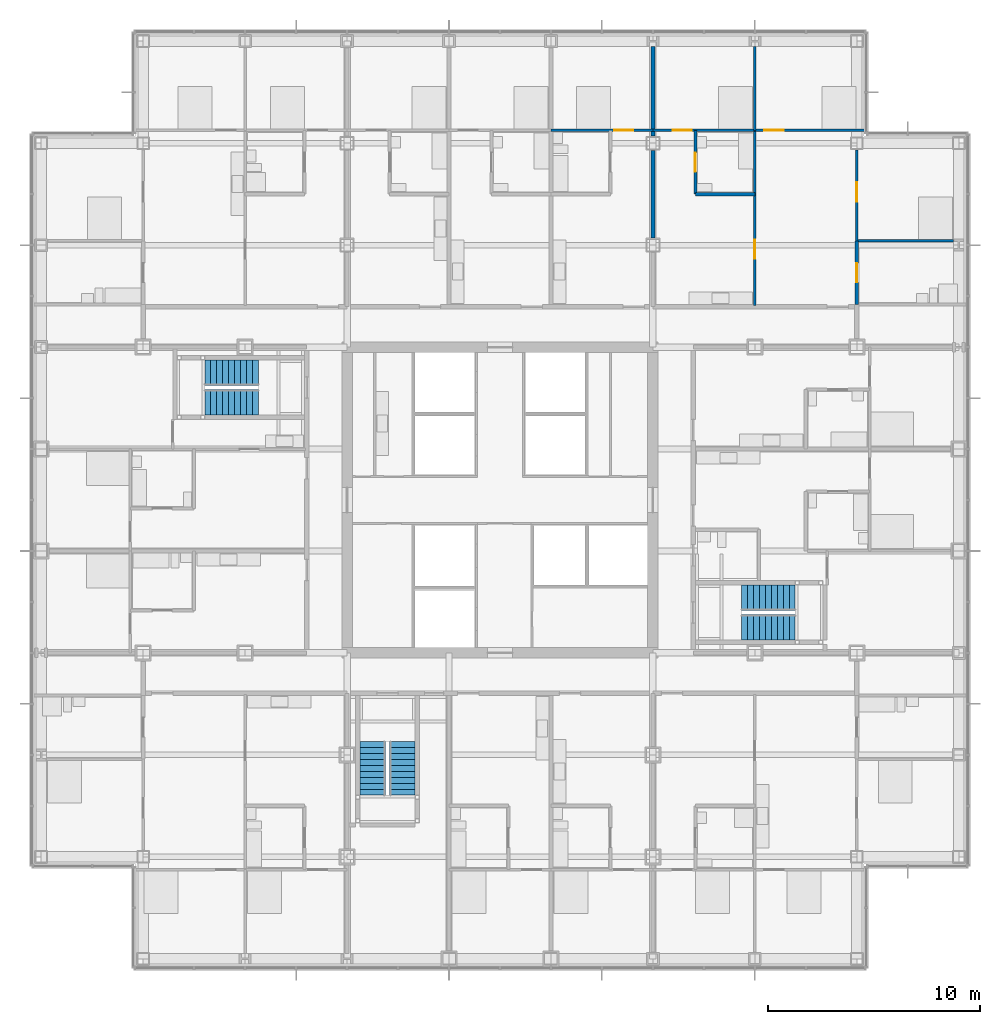
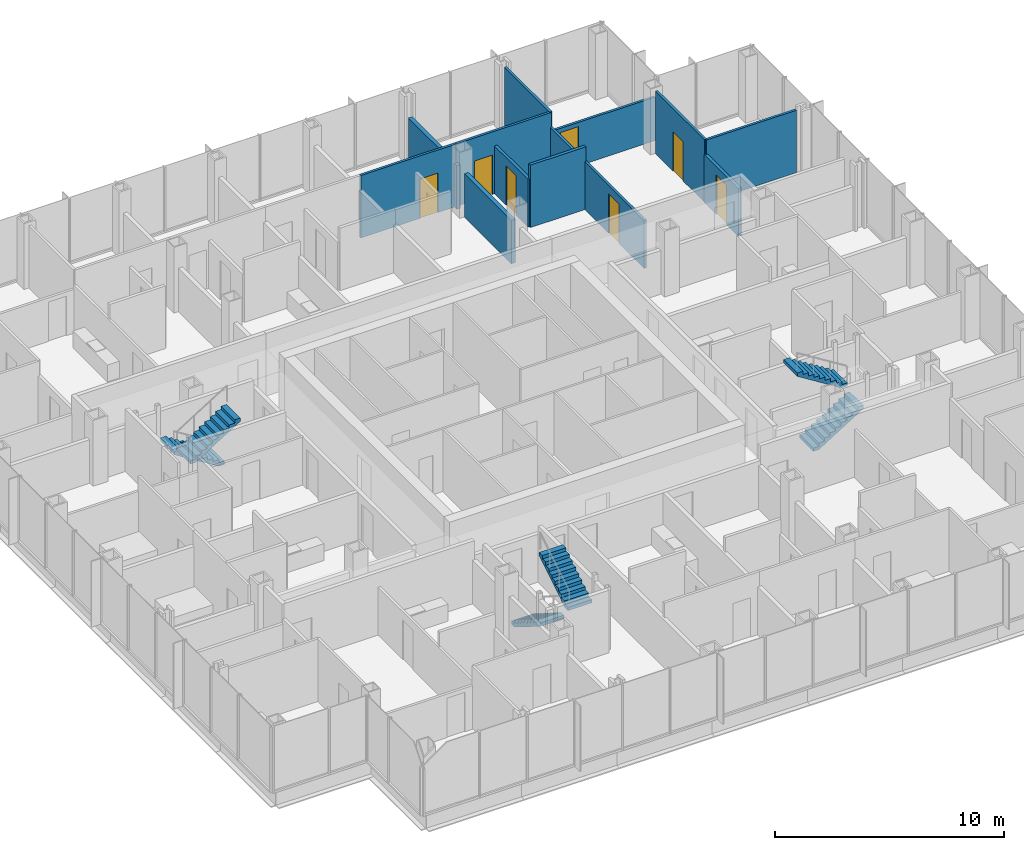
# One storey, part 18 of 21: 12 walls, 7 doors, 6 stair flights, 7 openings, 3 elements without a shape of their own.
"""IFC4 building model written with IfcOpenShell, lengths in metres."""

from ifc_helpers import new_model, si_unit, direction, frame, frame_2d, origin, place, context, subcontext, project, spatial, polyline, rectangle, outline, extrude, material, layer, layer_set, type_object, element, fill, aggregate, save


model = new_model("IFC4")

# Units and contexts
model_context = context("Model", 3, precision=1e-05, world=origin(), true_north=direction((0.0, 1.0)))
body_context = subcontext(model_context, "Body", "Model", "MODEL_VIEW")
ifc_project = project(units=[si_unit("LENGTHUNIT", "METRE"), si_unit("AREAUNIT", "SQUARE_METRE"), si_unit("VOLUMEUNIT", "CUBIC_METRE"), si_unit("PLANEANGLEUNIT", "RADIAN"), si_unit("MASSUNIT", "GRAM", prefix="KILO")], contexts=[model_context])

# Site, building, storey
site_placement = place(None, origin())
site = spatial("IfcSite", under=ifc_project, at=site_placement, CompositionType="ELEMENT")
building_placement = place(site_placement, origin())
building = spatial("IfcBuilding", under=site, at=building_placement, Name="Kvirike Care Tower", CompositionType="ELEMENT")
storey_placement = place(building_placement, frame((0.0, 0.0, 51.5)))
storey = spatial("IfcBuildingStorey", under=building, at=storey_placement, Name="L13", CompositionType="ELEMENT", Elevation=51.5)

# Wall, opening, door
ifc_material_1 = material(Name="Moisture-resistant board partition", Category="gypsum")
ifc_layer_1 = layer(ifc_material_1, 0.14990234375)
ifc_layer_set_1 = layer_set([ifc_layer_1], Name="BATHROOM WALL 150")
wall_type_1 = type_object("IfcWallType", Name="BATHROOM WALL 150", PredefinedType="PARTITIONING", material=ifc_layer_set_1)
wall_1_placement = place(storey_placement, frame((38.39990234375, 48.199951171875, 0.0), z_axis=(0.0, 0.0, 1.0), x_axis=(0.0, -1.0, 0.0)))
wall_1 = element("IfcWall", 1, at=wall_1_placement, inside=storey, type_object=wall_type_1, Name="Bathroom Wall 150 L13", PredefinedType="PARTITIONING", context=body_context, shape_type="SweptSolid", body=[
    extrude(rectangle(XDim=3.0, YDim=0.14990234375, at=frame_2d((1.5, 0.0))), origin(), (0.0, 0.0, 1.0), 2.550048828125),
])
opening_1_placement = place(wall_1_placement, frame((1.050048828125, 0.0, 0.0)))
opening_1 = element("IfcOpeningElement", 2, at=opening_1_placement, cuts=wall_1, Name="Opening 13-057", PredefinedType="OPENING", context=body_context, shape_type="SweptSolid", body=[
    extrude(rectangle(XDim=0.89990234375, YDim=2.10009765625, at=frame_2d((0.449951171875, 1.050048828125))), frame((0.0, 0.08544921875, 0.0), z_axis=(0.0, -1.0, 0.0), x_axis=(1.0, 0.0, 0.0)), (0.0, 0.0, 1.0), 0.1708984375),
])
ifc_material_2 = material(Name="Timber door set", Category="wood")
door_type_1 = type_object("IfcDoorType", Name="BATHROOM DOOR 900", OperationType="SINGLE_SWING_RIGHT", PredefinedType="DOOR", material=ifc_material_2)
door_1_placement = place(opening_1_placement, origin())
door_1 = element("IfcDoor", 3, at=door_1_placement, inside=storey, type_object=door_type_1, Name="Shower room door", OperationType="SINGLE_SWING_LEFT", OverallHeight=2.10009765625, OverallWidth=0.89990234375, PredefinedType="DOOR", context=body_context, shape_type="SweptSolid", body=[
    extrude(rectangle(XDim=0.89990234375, YDim=2.10009765625, at=frame_2d((0.449951171875, 1.050048828125))), frame((0.0, 0.02197265625, 0.0), z_axis=(0.0, -1.0, 0.0), x_axis=(1.0, 0.0, 0.0)), (0.0, 0.0, 1.0), 0.0439453125),
])
fill(opening_1, door_1)

wall_2_placement = place(storey_placement, frame((30.800048828125, 53.39990234375, 0.0), z_axis=(0.0, 0.0, 1.0), x_axis=(0.0, -1.0, 0.0)))
wall_2 = element("IfcWall", 4, at=wall_2_placement, inside=storey, type_object=wall_type_1, Name="Bathroom Wall 150 L13", PredefinedType="PARTITIONING", context=body_context, shape_type="SweptSolid", body=[
    extrude(rectangle(XDim=3.0, YDim=0.14990234375, at=frame_2d((1.5, 0.0))), origin(), (0.0, 0.0, 1.0), 2.550048828125),
])
opening_2_placement = place(wall_2_placement, frame((1.050048828125, 0.0, 0.0)))
opening_2 = element("IfcOpeningElement", 5, at=opening_2_placement, cuts=wall_2, Name="Opening 13-058", PredefinedType="OPENING", context=body_context, shape_type="SweptSolid", body=[
    extrude(rectangle(XDim=0.89990234375, YDim=2.10009765625, at=frame_2d((0.449951171875, 1.050048828125))), frame((0.0, 0.08544921875, 0.0), z_axis=(0.0, -1.0, 0.0), x_axis=(1.0, 0.0, 0.0)), (0.0, 0.0, 1.0), 0.1708984375),
])
door_2_placement = place(opening_2_placement, origin())
door_2 = element("IfcDoor", 6, at=door_2_placement, inside=storey, type_object=door_type_1, Name="Bathroom door", OperationType="SINGLE_SWING_RIGHT", OverallHeight=2.10009765625, OverallWidth=0.89990234375, PredefinedType="DOOR", context=body_context, shape_type="SweptSolid", body=[
    extrude(rectangle(XDim=0.89990234375, YDim=2.10009765625, at=frame_2d((0.449951171875, 1.050048828125))), frame((0.0, 0.02197265625, 0.0), z_axis=(0.0, -1.0, 0.0), x_axis=(1.0, 0.0, 0.0)), (0.0, 0.0, 1.0), 0.0439453125),
])
fill(opening_2, door_2)

# Wall
wall_3_placement = place(storey_placement, frame((33.60009765625, 50.39990234375, 0.0), z_axis=(0.0, 0.0, 1.0), x_axis=(-1.0, 0.0, 0.0)))
element("IfcWall", 7, at=wall_3_placement, inside=storey, type_object=wall_type_1, Name="Bathroom Wall 150 L13", PredefinedType="PARTITIONING", context=body_context, shape_type="SweptSolid", body=[
    extrude(rectangle(XDim=2.800048828125, YDim=0.14990234375, at=frame_2d((1.39990234375, 0.0))), origin(), (0.0, 0.0, 1.0), 3.330078125),
])

# Wall, opening, door
ifc_material_3 = material(Name="Plasterboard partition", Category="gypsum")
ifc_layer_2 = layer(ifc_material_3, 0.1201171875)
ifc_layer_set_2 = layer_set([ifc_layer_2], Name="PARTITION 120")
wall_type_2 = type_object("IfcWallType", Name="PARTITION 120", PredefinedType="PARTITIONING", material=ifc_layer_set_2)
wall_4_placement = place(storey_placement, frame((28.800048828125, 53.39990234375, 0.0), z_axis=(0.0, 0.0, 1.0), x_axis=(-1.0, 0.0, 0.0)))
wall_4 = element("IfcWall", 8, at=wall_4_placement, inside=storey, type_object=wall_type_2, Name="Partition 120 L13", PredefinedType="PARTITIONING", context=body_context, shape_type="SweptSolid", body=[
    extrude(rectangle(XDim=4.800048828125, YDim=0.1201171875, at=frame_2d((2.39990234375, 0.0))), origin(), (0.0, 0.0, 1.0), 3.330078125),
])
opening_3_placement = place(wall_4_placement, frame((0.925048828125, 0.0, 0.0)))
opening_3 = element("IfcOpeningElement", 9, at=opening_3_placement, cuts=wall_4, Name="Opening 13-033", PredefinedType="OPENING", context=body_context, shape_type="SweptSolid", body=[
    extrude(rectangle(XDim=0.89990234375, YDim=2.10009765625, at=frame_2d((0.449951171875, 1.050048828125))), frame((0.0, 0.070556640625, 0.0), z_axis=(0.0, -1.0, 0.0), x_axis=(1.0, 0.0, 0.0)), (0.0, 0.0, 1.0), 0.14111328125),
])
ifc_material_4 = material(Name="Timber door set", Category="wood")
door_type_2 = type_object("IfcDoorType", Name="INTERNAL DOOR 900", OperationType="SINGLE_SWING_LEFT", PredefinedType="DOOR", material=ifc_material_4)
door_3_placement = place(opening_3_placement, frame((0.89990234375, 0.0, 0.0), z_axis=(0.0, 0.0, 1.0), x_axis=(-1.0, 0.0, 0.0)))
door_3 = element("IfcDoor", 10, at=door_3_placement, inside=storey, type_object=door_type_2, Name="Studio apartment living room door", OperationType="SINGLE_SWING_LEFT", OverallHeight=2.10009765625, OverallWidth=0.89990234375, PredefinedType="DOOR", context=body_context, shape_type="SweptSolid", body=[
    extrude(rectangle(XDim=0.89990234375, YDim=2.10009765625, at=frame_2d((0.449951171875, 1.050048828125))), frame((0.0, 0.02197265625, 0.0), z_axis=(0.0, -1.0, 0.0), x_axis=(1.0, 0.0, 0.0)), (0.0, 0.0, 1.0), 0.0439453125),
])
fill(opening_3, door_3)

wall_5_placement = place(storey_placement, frame((33.60009765625, 53.39990234375, 0.0), z_axis=(0.0, 0.0, 1.0), x_axis=(0.0, -1.0, 0.0)))
wall_5 = element("IfcWall", 11, at=wall_5_placement, inside=storey, type_object=wall_type_2, Name="Partition 120 L13", PredefinedType="PARTITIONING", context=body_context, shape_type="SweptSolid", body=[
    extrude(rectangle(XDim=8.25, YDim=0.1201171875, at=frame_2d((4.125, 0.0))), origin(), (0.0, 0.0, 1.0), 2.550048828125),
])
opening_4_placement = place(wall_5_placement, frame((5.14990234375, 0.0, 0.0)))
opening_4 = element("IfcOpeningElement", 12, at=opening_4_placement, cuts=wall_5, Name="Opening 13-059", PredefinedType="OPENING", context=body_context, shape_type="SweptSolid", body=[
    extrude(rectangle(XDim=0.89990234375, YDim=2.10009765625, at=frame_2d((0.449951171875, 1.050048828125))), frame((0.0, 0.070556640625, 0.0), z_axis=(0.0, -1.0, 0.0), x_axis=(1.0, 0.0, 0.0)), (0.0, 0.0, 1.0), 0.14111328125),
])
door_4_placement = place(opening_4_placement, frame((0.89990234375, 0.0, 0.0), z_axis=(0.0, 0.0, 1.0), x_axis=(-1.0, 0.0, 0.0)))
door_4 = element("IfcDoor", 13, at=door_4_placement, inside=storey, type_object=door_type_2, Name="Hall door", OperationType="SINGLE_SWING_LEFT", OverallHeight=2.10009765625, OverallWidth=0.89990234375, PredefinedType="DOOR", context=body_context, shape_type="SweptSolid", body=[
    extrude(rectangle(XDim=0.89990234375, YDim=2.10009765625, at=frame_2d((0.449951171875, 1.050048828125))), frame((0.0, 0.02197265625, 0.0), z_axis=(0.0, -1.0, 0.0), x_axis=(1.0, 0.0, 0.0)), (0.0, 0.0, 1.0), 0.0439453125),
])
fill(opening_4, door_4)

# Wall
wall_6_placement = place(storey_placement, frame((42.952880859375, 48.199951171875, 0.0), z_axis=(0.0, 0.0, 1.0), x_axis=(-1.0, 0.0, 0.0)))
element("IfcWall", 14, at=wall_6_placement, inside=storey, type_object=wall_type_2, Name="Partition 120 L13", PredefinedType="PARTITIONING", context=body_context, shape_type="SweptSolid", body=[
    extrude(rectangle(XDim=4.552978515625, YDim=0.1201171875, at=frame_2d((2.2763671875, 0.0))), origin(), (0.0, 0.0, 1.0), 3.330078125),
])

# Wall, opening, door
wall_7_placement = place(storey_placement, frame((38.8349609375, 53.39990234375, 0.0), z_axis=(0.0, 0.0, 1.0), x_axis=(-1.0, 0.0, 0.0)))
wall_7 = element("IfcWall", 15, at=wall_7_placement, inside=storey, type_object=wall_type_2, Name="Partition 120 L13", PredefinedType="PARTITIONING", context=body_context, shape_type="SweptSolid", body=[
    extrude(rectangle(XDim=5.23486328125, YDim=0.1201171875, at=frame_2d((2.617431640625, 0.0))), origin(), (0.0, 0.0, 1.0), 2.320068359375),
])
opening_5_placement = place(wall_7_placement, frame((3.885009765625, 0.0, 0.0)))
opening_5 = element("IfcOpeningElement", 16, at=opening_5_placement, cuts=wall_7, Name="Opening 13-060", PredefinedType="OPENING", context=body_context, shape_type="SweptSolid", body=[
    extrude(rectangle(XDim=0.89990234375, YDim=2.10009765625, at=frame_2d((0.449951171875, 1.050048828125))), frame((0.0, 0.070556640625, 0.0), z_axis=(0.0, -1.0, 0.0), x_axis=(1.0, 0.0, 0.0)), (0.0, 0.0, 1.0), 0.14111328125),
])
door_5_placement = place(opening_5_placement, frame((0.89990234375, 0.0, 0.0), z_axis=(0.0, 0.0, 1.0), x_axis=(-1.0, 0.0, 0.0)))
door_5 = element("IfcDoor", 17, at=door_5_placement, inside=storey, type_object=door_type_2, Name="Apartment bedroom door", OperationType="SINGLE_SWING_RIGHT", OverallHeight=2.10009765625, OverallWidth=0.89990234375, PredefinedType="DOOR", context=body_context, shape_type="SweptSolid", body=[
    extrude(rectangle(XDim=0.89990234375, YDim=2.10009765625, at=frame_2d((0.449951171875, 1.050048828125))), frame((0.0, 0.02197265625, 0.0), z_axis=(0.0, -1.0, 0.0), x_axis=(1.0, 0.0, 0.0)), (0.0, 0.0, 1.0), 0.0439453125),
])
fill(opening_5, door_5)

wall_8_placement = place(storey_placement, frame((33.60009765625, 53.39990234375, 0.0), z_axis=(0.0, 0.0, 1.0), x_axis=(-1.0, 0.0, 0.0)))
wall_8 = element("IfcWall", 18, at=wall_8_placement, inside=storey, type_object=wall_type_2, Name="Partition 120 L13", PredefinedType="PARTITIONING", context=body_context, shape_type="SweptSolid", body=[
    extrude(rectangle(XDim=4.800048828125, YDim=0.1201171875, at=frame_2d((2.39990234375, 0.0))), origin(), (0.0, 0.0, 1.0), 3.330078125),
])
opening_6_placement = place(wall_8_placement, frame((2.97509765625, 0.0, 0.0)))
opening_6 = element("IfcOpeningElement", 19, at=opening_6_placement, cuts=wall_8, Name="Opening 13-061", PredefinedType="OPENING", context=body_context, shape_type="SweptSolid", body=[
    extrude(rectangle(XDim=0.89990234375, YDim=2.10009765625, at=frame_2d((0.449951171875, 1.050048828125))), frame((0.0, 0.070556640625, 0.0), z_axis=(0.0, -1.0, 0.0), x_axis=(1.0, 0.0, 0.0)), (0.0, 0.0, 1.0), 0.14111328125),
])
door_6_placement = place(opening_6_placement, frame((0.89990234375, 0.0, 0.0), z_axis=(0.0, 0.0, 1.0), x_axis=(-1.0, 0.0, 0.0)))
door_6 = element("IfcDoor", 20, at=door_6_placement, inside=storey, type_object=door_type_2, Name="Apartment bedroom door", OperationType="SINGLE_SWING_LEFT", OverallHeight=2.10009765625, OverallWidth=0.89990234375, PredefinedType="DOOR", context=body_context, shape_type="SweptSolid", body=[
    extrude(rectangle(XDim=0.89990234375, YDim=2.10009765625, at=frame_2d((0.449951171875, 1.050048828125))), frame((0.0, 0.02197265625, 0.0), z_axis=(0.0, -1.0, 0.0), x_axis=(1.0, 0.0, 0.0)), (0.0, 0.0, 1.0), 0.0439453125),
])
fill(opening_6, door_6)

wall_9_placement = place(storey_placement, frame((38.39990234375, 52.47998046875, 0.0), z_axis=(0.0, 0.0, 1.0), x_axis=(0.0, -1.0, 0.0)))
wall_9 = element("IfcWall", 21, at=wall_9_placement, inside=storey, type_object=wall_type_2, Name="Partition 120 L13", PredefinedType="PARTITIONING", context=body_context, shape_type="SweptSolid", body=[
    extrude(rectangle(XDim=4.280029296875, YDim=0.1201171875, at=frame_2d((2.14013671875, 0.0))), origin(), (0.0, 0.0, 1.0), 3.330078125),
])
opening_7_placement = place(wall_9_placement, frame((1.530029296875, 0.0, 0.0)))
opening_7 = element("IfcOpeningElement", 22, at=opening_7_placement, cuts=wall_9, Name="Opening 13-062", PredefinedType="OPENING", context=body_context, shape_type="SweptSolid", body=[
    extrude(rectangle(XDim=0.89990234375, YDim=2.10009765625, at=frame_2d((0.449951171875, 1.050048828125))), frame((0.0, 0.070556640625, 0.0), z_axis=(0.0, -1.0, 0.0), x_axis=(1.0, 0.0, 0.0)), (0.0, 0.0, 1.0), 0.14111328125),
])
door_7_placement = place(opening_7_placement, origin())
door_7 = element("IfcDoor", 23, at=door_7_placement, inside=storey, type_object=door_type_2, Name="Connecting door", OperationType="SINGLE_SWING_LEFT", OverallHeight=2.10009765625, OverallWidth=0.89990234375, PredefinedType="DOOR", context=body_context, shape_type="SweptSolid", body=[
    extrude(rectangle(XDim=0.89990234375, YDim=2.10009765625, at=frame_2d((0.449951171875, 1.050048828125))), frame((0.0, 0.02197265625, 0.0), z_axis=(0.0, -1.0, 0.0), x_axis=(1.0, 0.0, 0.0)), (0.0, 0.0, 1.0), 0.0439453125),
])
fill(opening_7, door_7)

# Walls
wall_10_placement = place(storey_placement, frame((33.60009765625, 57.35302734375, 0.0), z_axis=(0.0, 0.0, 1.0), x_axis=(0.0, -1.0, 0.0)))
element("IfcWall", 24, at=wall_10_placement, inside=storey, type_object=wall_type_2, Name="Partition 120 L13", PredefinedType="PARTITIONING", context=body_context, shape_type="SweptSolid", body=[
    extrude(rectangle(XDim=3.953125, YDim=0.1201171875, at=frame_2d((1.9765625, 0.0))), origin(), (0.0, 0.0, 1.0), 3.330078125),
])
ifc_material_5 = material(Name="Plasterboard party wall", Category="gypsum")
ifc_layer_3 = layer(ifc_material_5, 0.199951171875)
ifc_layer_set_3 = layer_set([ifc_layer_3], Name="PARTY WALL 200")
wall_type_3 = type_object("IfcWallType", Name="PARTY WALL 200", PredefinedType="PARTITIONING", material=ifc_layer_set_3)
wall_11_placement = place(storey_placement, frame((28.800048828125, 48.344970703125, 0.0), z_axis=(0.0, 0.0, 1.0), x_axis=(0.0, 1.0, 0.0)))
element("IfcWall", 25, at=wall_11_placement, inside=storey, type_object=wall_type_3, Name="Party Wall 200 L13", PredefinedType="PARTITIONING", context=body_context, shape_type="SweptSolid", body=[
    extrude(rectangle(XDim=4.110107421875, YDim=0.199951171875, at=frame_2d((2.05517578125, 0.0))), origin(), (0.0, 0.0, 1.0), 2.320068359375),
])
wall_12_placement = place(storey_placement, frame((28.800048828125, 53.14501953125, 0.0), z_axis=(0.0, 0.0, 1.0), x_axis=(0.0, 1.0, 0.0)))
element("IfcWall", 26, at=wall_12_placement, inside=storey, type_object=wall_type_3, Name="Party Wall 200 L13", PredefinedType="PARTITIONING", context=body_context, shape_type="SweptSolid", body=[
    extrude(rectangle(XDim=4.2080078125, YDim=0.199951171875, at=frame_2d((2.10400390625, 0.0))), origin(), (0.0, 0.0, 1.0), 2.320068359375),
])

# Stair, stair flights
ifc_material_6 = material(Name="Concrete C35/45", Category="concrete")
stair_type = type_object("IfcStairType", Name="STAIR 20 RISERS", PredefinedType="HALF_TURN_STAIR", material=ifc_material_6)
stair_1_placement = place(storey_placement, origin())
stair_1 = element("IfcStair", 27, at=stair_1_placement, inside=storey, type_object=stair_type, Name="Stair 1 L13", PredefinedType="HALF_TURN_STAIR")
ifc_material_7 = material(Name="Concrete C35/45", Category="concrete")
stair_flight_type = type_object("IfcStairFlightType", Name="FLIGHT 10 RISERS", PredefinedType="STRAIGHT", material=ifc_material_7)
stair_flight_1_placement = place(storey_placement, frame((10.219970703125, 42.0, 0.0), z_axis=(0.0, 0.0, 1.0), x_axis=(-1.0, 0.0, 0.0)))
stair_flight_1 = element("IfcStairFlight", 28, at=stair_flight_1_placement, type_object=stair_flight_type, Name="Stair S1 flight 1 L13-L14", NumberOfRisers=10, NumberOfTreads=9, PredefinedType="STRAIGHT", RiserHeight=0.175, TreadLength=0.28, context=body_context, shape_type="SweptSolid", body=[
    extrude(outline(polyline([(0.0, 0.0), (0.0, 0.175048828125), (0.280029296875, 0.175048828125), (0.280029296875, 0.35009765625), (0.56005859375, 0.35009765625), (0.56005859375, 0.52490234375), (0.840087890625, 0.52490234375), (0.840087890625, 0.699951171875), (1.1201171875, 0.699951171875), (1.1201171875, 0.875), (1.39990234375, 0.875), (1.39990234375, 1.050048828125), (1.679931640625, 1.050048828125), (1.679931640625, 1.22509765625), (1.9599609375, 1.22509765625), (1.9599609375, 1.39990234375), (2.239990234375, 1.39990234375), (2.239990234375, 1.574951171875), (2.52001953125, 1.574951171875), (2.52001953125, 1.75), (2.52001953125, 1.398193359375), (0.28271484375, 0.0), (0.0, 0.0)])), frame((0.0, 0.60009765625, 0.0), z_axis=(0.0, -1.0, 0.0), x_axis=(1.0, 0.0, 0.0)), (0.0, 0.0, 1.0), 1.199951171875),
])
stair_flight_2_placement = place(storey_placement, frame((7.699951171875, 40.60009765625, 1.75), z_axis=(0.0, 0.0, 1.0), x_axis=(1.0, 0.0, 0.0)))
stair_flight_2 = element("IfcStairFlight", 29, at=stair_flight_2_placement, type_object=stair_flight_type, Name="Stair S1 flight 2 L13-L14", NumberOfRisers=10, NumberOfTreads=9, PredefinedType="STRAIGHT", RiserHeight=0.175, TreadLength=0.28, context=body_context, shape_type="SweptSolid", body=[
    extrude(outline(polyline([(0.0, 0.0), (0.0, 0.175048828125), (0.280029296875, 0.175048828125), (0.280029296875, 0.35009765625), (0.56005859375, 0.35009765625), (0.56005859375, 0.52490234375), (0.840087890625, 0.52490234375), (0.840087890625, 0.699951171875), (1.1201171875, 0.699951171875), (1.1201171875, 0.875), (1.39990234375, 0.875), (1.39990234375, 1.050048828125), (1.679931640625, 1.050048828125), (1.679931640625, 1.22509765625), (1.9599609375, 1.22509765625), (1.9599609375, 1.39990234375), (2.239990234375, 1.39990234375), (2.239990234375, 1.574951171875), (2.52001953125, 1.574951171875), (2.52001953125, 1.75), (2.52001953125, 1.398193359375), (0.28271484375, 0.0), (0.0, 0.0)])), frame((0.0, 0.60009765625, 0.0), z_axis=(0.0, -1.0, 0.0), x_axis=(1.0, 0.0, 0.0)), (0.0, 0.0, 1.0), 1.199951171875),
])
aggregate(stair_1, [stair_flight_1, stair_flight_2])

stair_2_placement = place(storey_placement, origin())
stair_2 = element("IfcStair", 30, at=stair_2_placement, inside=storey, type_object=stair_type, Name="Stair 2 L13", PredefinedType="HALF_TURN_STAIR")
stair_flight_3_placement = place(storey_placement, frame((32.97998046875, 30.0, 0.0), z_axis=(0.0, 0.0, 1.0), x_axis=(1.0, 0.0, 0.0)))
stair_flight_3 = element("IfcStairFlight", 31, at=stair_flight_3_placement, type_object=stair_flight_type, Name="Stair S2 flight 1 L13-L14", NumberOfRisers=10, NumberOfTreads=9, PredefinedType="STRAIGHT", RiserHeight=0.175, TreadLength=0.28, context=body_context, shape_type="SweptSolid", body=[
    extrude(outline(polyline([(0.0, 0.0), (0.0, 0.175048828125), (0.280029296875, 0.175048828125), (0.280029296875, 0.35009765625), (0.56005859375, 0.35009765625), (0.56005859375, 0.52490234375), (0.840087890625, 0.52490234375), (0.840087890625, 0.699951171875), (1.1201171875, 0.699951171875), (1.1201171875, 0.875), (1.39990234375, 0.875), (1.39990234375, 1.050048828125), (1.679931640625, 1.050048828125), (1.679931640625, 1.22509765625), (1.9599609375, 1.22509765625), (1.9599609375, 1.39990234375), (2.239990234375, 1.39990234375), (2.239990234375, 1.574951171875), (2.52001953125, 1.574951171875), (2.52001953125, 1.75), (2.52001953125, 1.398193359375), (0.28271484375, 0.0), (0.0, 0.0)])), frame((0.0, 0.60009765625, 0.0), z_axis=(0.0, -1.0, 0.0), x_axis=(1.0, 0.0, 0.0)), (0.0, 0.0, 1.0), 1.199951171875),
])
stair_flight_4_placement = place(storey_placement, frame((35.5, 31.39990234375, 1.75), z_axis=(0.0, 0.0, 1.0), x_axis=(-1.0, 0.0, 0.0)))
stair_flight_4 = element("IfcStairFlight", 32, at=stair_flight_4_placement, type_object=stair_flight_type, Name="Stair S2 flight 2 L13-L14", NumberOfRisers=10, NumberOfTreads=9, PredefinedType="STRAIGHT", RiserHeight=0.175, TreadLength=0.28, context=body_context, shape_type="SweptSolid", body=[
    extrude(outline(polyline([(0.0, 0.0), (0.0, 0.175048828125), (0.280029296875, 0.175048828125), (0.280029296875, 0.35009765625), (0.56005859375, 0.35009765625), (0.56005859375, 0.52490234375), (0.840087890625, 0.52490234375), (0.840087890625, 0.699951171875), (1.1201171875, 0.699951171875), (1.1201171875, 0.875), (1.39990234375, 0.875), (1.39990234375, 1.050048828125), (1.679931640625, 1.050048828125), (1.679931640625, 1.22509765625), (1.9599609375, 1.22509765625), (1.9599609375, 1.39990234375), (2.239990234375, 1.39990234375), (2.239990234375, 1.574951171875), (2.52001953125, 1.574951171875), (2.52001953125, 1.75), (2.52001953125, 1.398193359375), (0.28271484375, 0.0), (0.0, 0.0)])), frame((0.0, 0.60009765625, 0.0), z_axis=(0.0, -1.0, 0.0), x_axis=(1.0, 0.0, 0.0)), (0.0, 0.0, 1.0), 1.199951171875),
])
aggregate(stair_2, [stair_flight_3, stair_flight_4])

stair_3_placement = place(storey_placement, origin())
stair_3 = element("IfcStair", 33, at=stair_3_placement, inside=storey, type_object=stair_type, Name="Stair 5 L13", PredefinedType="HALF_TURN_STAIR")
stair_flight_5_placement = place(storey_placement, frame((15.60009765625, 24.6201171875, 0.0), z_axis=(0.0, 0.0, 1.0), x_axis=(0.0, -1.0, 0.0)))
stair_flight_5 = element("IfcStairFlight", 34, at=stair_flight_5_placement, type_object=stair_flight_type, Name="Stair S5 flight 1 L13-L14", NumberOfRisers=10, NumberOfTreads=9, PredefinedType="STRAIGHT", RiserHeight=0.175, TreadLength=0.28, context=body_context, shape_type="SweptSolid", body=[
    extrude(outline(polyline([(0.0, 0.0), (0.0, 0.175048828125), (0.280029296875, 0.175048828125), (0.280029296875, 0.35009765625), (0.56005859375, 0.35009765625), (0.56005859375, 0.52490234375), (0.840087890625, 0.52490234375), (0.840087890625, 0.699951171875), (1.1201171875, 0.699951171875), (1.1201171875, 0.875), (1.39990234375, 0.875), (1.39990234375, 1.050048828125), (1.679931640625, 1.050048828125), (1.679931640625, 1.22509765625), (1.9599609375, 1.22509765625), (1.9599609375, 1.39990234375), (2.239990234375, 1.39990234375), (2.239990234375, 1.574951171875), (2.52001953125, 1.574951171875), (2.52001953125, 1.75), (2.52001953125, 1.398193359375), (0.28271484375, 0.0), (0.0, 0.0)])), frame((0.0, 0.60009765625, 0.0), z_axis=(0.0, -1.0, 0.0), x_axis=(1.0, 0.0, 0.0)), (0.0, 0.0, 1.0), 1.199951171875),
])
stair_flight_6_placement = place(storey_placement, frame((17.0, 22.10009765625, 1.75), z_axis=(0.0, 0.0, 1.0), x_axis=(0.0, 1.0, 0.0)))
stair_flight_6 = element("IfcStairFlight", 35, at=stair_flight_6_placement, type_object=stair_flight_type, Name="Stair S5 flight 2 L13-L14", NumberOfRisers=10, NumberOfTreads=9, PredefinedType="STRAIGHT", RiserHeight=0.175, TreadLength=0.28, context=body_context, shape_type="SweptSolid", body=[
    extrude(outline(polyline([(0.0, 0.0), (0.0, 0.175048828125), (0.280029296875, 0.175048828125), (0.280029296875, 0.35009765625), (0.56005859375, 0.35009765625), (0.56005859375, 0.52490234375), (0.840087890625, 0.52490234375), (0.840087890625, 0.699951171875), (1.1201171875, 0.699951171875), (1.1201171875, 0.875), (1.39990234375, 0.875), (1.39990234375, 1.050048828125), (1.679931640625, 1.050048828125), (1.679931640625, 1.22509765625), (1.9599609375, 1.22509765625), (1.9599609375, 1.39990234375), (2.239990234375, 1.39990234375), (2.239990234375, 1.574951171875), (2.52001953125, 1.574951171875), (2.52001953125, 1.75), (2.52001953125, 1.398193359375), (0.28271484375, 0.0), (0.0, 0.0)])), frame((0.0, 0.60009765625, 0.0), z_axis=(0.0, -1.0, 0.0), x_axis=(1.0, 0.0, 0.0)), (0.0, 0.0, 1.0), 1.199951171875),
])
aggregate(stair_3, [stair_flight_5, stair_flight_6])

save(model, "model.ifc")
